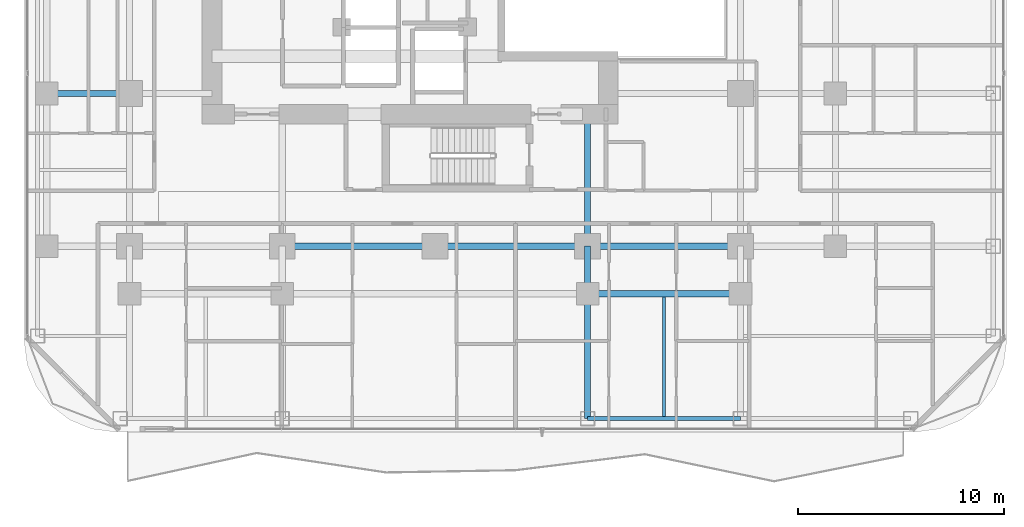
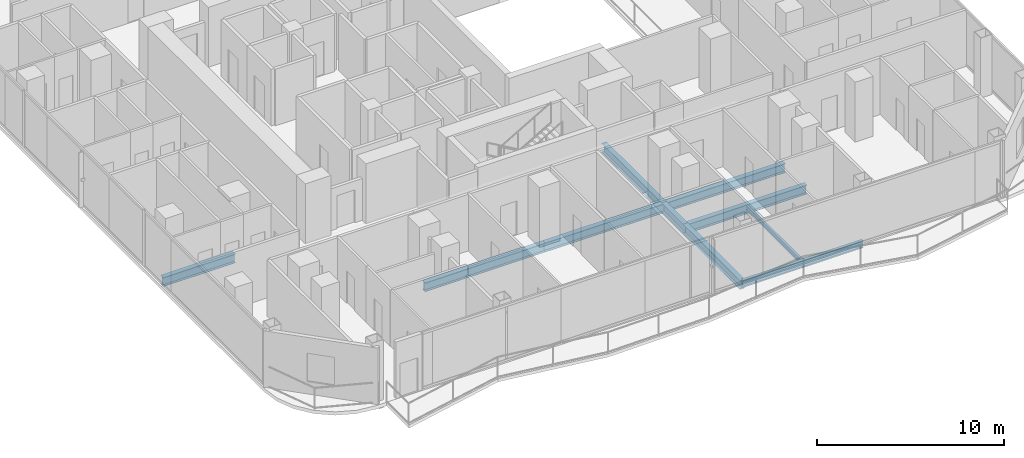
# One storey, part 4 of 29: 10 beams.
"""IFC4 building model written with IfcOpenShell, lengths in metres."""

from ifc_helpers import new_model, si_unit, direction, frame, origin, origin_2d, place, context, subcontext, project, spatial, i_section, extrude, material, material_profile, profile_set, type_object, element, save


model = new_model("IFC4")

# Units and contexts
model_context = context("Model", 3, precision=1e-05, world=origin(), true_north=direction((0.0, 1.0)))
body_context = subcontext(model_context, "Body", "Model", "MODEL_VIEW")
ifc_project = project(units=[si_unit("LENGTHUNIT", "METRE"), si_unit("AREAUNIT", "SQUARE_METRE"), si_unit("VOLUMEUNIT", "CUBIC_METRE"), si_unit("PLANEANGLEUNIT", "RADIAN"), si_unit("MASSUNIT", "GRAM", prefix="KILO")], contexts=[model_context])

# Site, building, storey
site_placement = place(None, origin())
site = spatial("IfcSite", under=ifc_project, at=site_placement, CompositionType="ELEMENT")
building_placement = place(site_placement, origin())
building = spatial("IfcBuilding", under=site, at=building_placement, Name="Khorvyn Point Tower", CompositionType="ELEMENT")
storey_placement = place(building_placement, frame((0.0, 0.0, 144.60009765625)))
storey = spatial("IfcBuildingStorey", under=building, at=storey_placement, Name="L36", CompositionType="ELEMENT", Elevation=144.60009765625)

# Beams
ifc_material = material(Name="Steel S355", Category="steel")
ifc_material_profile_1 = material_profile(ifc_material, i_section(OverallWidth=0.300048828125, OverallDepth=0.587890625, WebThickness=0.011962890625, FlangeThickness=0.02001953125, at=origin_2d()))
ifc_profile_set_1 = profile_set([ifc_material_profile_1], Name="Steel S355 H588x300x12x20")
beam_type_1 = type_object("IfcBeamType", Name="Steel S355 Beam H588x300x12x20", PredefinedType="BEAM", material=ifc_profile_set_1)
for number, where, z_axis, x_axis, name in (
    (1, (-7.39990234375, -14.800048828125, -0.51416015625), (1.0, 0.0, 0.0), (0.0, 1.0, 0.0), "Beam"),
    (2, (0.0, -14.800048828125, -0.51416015625), (1.0, 0.0, 0.0), (0.0, 1.0, 0.0), "Beam"),
):
    element("IfcBeam", number, at=place(storey_placement, frame(where, z_axis=z_axis, x_axis=x_axis)), inside=storey, type_object=beam_type_1, Name=name, PredefinedType="BEAM", context=body_context, shape_type="SweptSolid", body=[
        extrude(i_section(OverallWidth=0.300048828125, OverallDepth=0.587890625, WebThickness=0.011962890625, FlangeThickness=0.02001953125, at=origin_2d()), origin(), (0.0, 0.0, 1.0), 7.39990234375),
    ])
beam_1_placement = place(storey_placement, frame((7.39990234375, -14.800048828125, -0.51416015625), z_axis=(1.0, 0.0, 0.0), x_axis=(0.0, 1.0, 0.0)))
element("IfcBeam", 3, at=beam_1_placement, inside=storey, type_object=beam_type_1, Name="Beam", PredefinedType="BEAM", context=body_context, shape_type="SweptSolid", body=[
    extrude(i_section(OverallWidth=0.300048828125, OverallDepth=0.587890625, WebThickness=0.011962890625, FlangeThickness=0.02001953125, at=origin_2d()), origin(), (0.0, 0.0, 1.0), 7.400146484375),
])
beam_2_placement = place(storey_placement, frame((-19.25, -7.39990234375, -0.51416015625), z_axis=(1.0, 0.0, 0.0), x_axis=(0.0, 1.0, 0.0)))
element("IfcBeam", 4, at=beam_2_placement, inside=storey, type_object=beam_type_1, Name="Beam", PredefinedType="BEAM", context=body_context, shape_type="SweptSolid", body=[
    extrude(i_section(OverallWidth=0.300048828125, OverallDepth=0.587890625, WebThickness=0.011962890625, FlangeThickness=0.02001953125, at=origin_2d()), origin(), (0.0, 0.0, 1.0), 4.449951171875),
])
beam_3_placement = place(storey_placement, frame((7.39990234375, -17.10009765625, -0.51416015625), z_axis=(1.0, 0.0, 0.0), x_axis=(0.0, 1.0, 0.0)))
element("IfcBeam", 5, at=beam_3_placement, inside=storey, type_object=beam_type_1, Name="Beam", PredefinedType="BEAM", context=body_context, shape_type="SweptSolid", body=[
    extrude(i_section(OverallWidth=0.300048828125, OverallDepth=0.587890625, WebThickness=0.011962890625, FlangeThickness=0.02001953125, at=origin_2d()), origin(), (0.0, 0.0, 1.0), 7.400146484375),
])
beam_4_placement = place(storey_placement, frame((7.39990234375, -23.14990234375, -0.51416015625), z_axis=(0.0, 1.0, 0.0), x_axis=(-1.0, 0.0, 0.0)))
element("IfcBeam", 6, at=beam_4_placement, inside=storey, type_object=beam_type_1, Name="Beam", PredefinedType="BEAM", context=body_context, shape_type="SweptSolid", body=[
    extrude(i_section(OverallWidth=0.300048828125, OverallDepth=0.587890625, WebThickness=0.011962890625, FlangeThickness=0.02001953125, at=origin_2d()), origin(), (0.0, 0.0, 1.0), 6.0498046875),
])
beam_5_placement = place(storey_placement, frame((7.39990234375, -17.10009765625, -0.51416015625), z_axis=(0.0, 1.0, 0.0), x_axis=(-1.0, 0.0, 0.0)))
element("IfcBeam", 7, at=beam_5_placement, inside=storey, type_object=beam_type_1, Name="Beam", PredefinedType="BEAM", context=body_context, shape_type="SweptSolid", body=[
    extrude(i_section(OverallWidth=0.300048828125, OverallDepth=0.587890625, WebThickness=0.011962890625, FlangeThickness=0.02001953125, at=origin_2d()), origin(), (0.0, 0.0, 1.0), 2.300048828125),
])
beam_6_placement = place(storey_placement, frame((7.39990234375, -14.800048828125, -0.51416015625), z_axis=(0.0, 1.0, 0.0), x_axis=(-1.0, 0.0, 0.0)))
element("IfcBeam", 8, at=beam_6_placement, inside=storey, type_object=beam_type_1, Name="Beam", PredefinedType="BEAM", context=body_context, shape_type="SweptSolid", body=[
    extrude(i_section(OverallWidth=0.300048828125, OverallDepth=0.587890625, WebThickness=0.011962890625, FlangeThickness=0.02001953125, at=origin_2d()), origin(), (0.0, 0.0, 1.0), 6.400146484375),
])
ifc_material_profile_2 = material_profile(ifc_material, i_section(OverallWidth=0.14990234375, OverallDepth=0.300048828125, WebThickness=0.006591796875, FlangeThickness=0.009033203125, at=origin_2d()))
ifc_profile_set_2 = profile_set([ifc_material_profile_2], Name="Steel S355 H300x150x6.5x9")
beam_type_2 = type_object("IfcBeamType", Name="Steel S355 Joist H300x150x6.5x9", PredefinedType="JOIST", material=ifc_profile_set_2)
beam_7_placement = place(storey_placement, frame((11.10009765625, -23.050048828125, -0.3701171875), z_axis=(0.0, 1.0, 0.0), x_axis=(-1.0, 0.0, 0.0)))
element("IfcBeam", 9, at=beam_7_placement, inside=storey, type_object=beam_type_2, Name="Beam", PredefinedType="JOIST", context=body_context, shape_type="SweptSolid", body=[
    extrude(i_section(OverallWidth=0.14990234375, OverallDepth=0.300048828125, WebThickness=0.006591796875, FlangeThickness=0.009033203125, at=origin_2d()), origin(), (0.0, 0.0, 1.0), 5.800048828125),
])
ifc_material_profile_3 = material_profile(ifc_material, i_section(OverallWidth=0.199951171875, OverallDepth=0.449951171875, WebThickness=0.009033203125, FlangeThickness=0.013916015625, at=origin_2d()))
ifc_profile_set_3 = profile_set([ifc_material_profile_3], Name="Steel S355 H450x200x9x14")
beam_type_3 = type_object("IfcBeamType", Name="Steel S355 Spandrel H450x200x9x14", PredefinedType="SPANDREL", material=ifc_profile_set_3)
beam_8_placement = place(storey_placement, frame((7.39990234375, -23.14990234375, -0.445068359375), z_axis=(1.0, 0.0, 0.0), x_axis=(0.0, 1.0, 0.0)))
element("IfcBeam", 10, at=beam_8_placement, inside=storey, type_object=beam_type_3, Name="Beam", PredefinedType="SPANDREL", context=body_context, shape_type="SweptSolid", body=[
    extrude(i_section(OverallWidth=0.199951171875, OverallDepth=0.449951171875, WebThickness=0.009033203125, FlangeThickness=0.013916015625, at=origin_2d()), origin(), (0.0, 0.0, 1.0), 7.400146484375),
])

save(model, "model.ifc")
